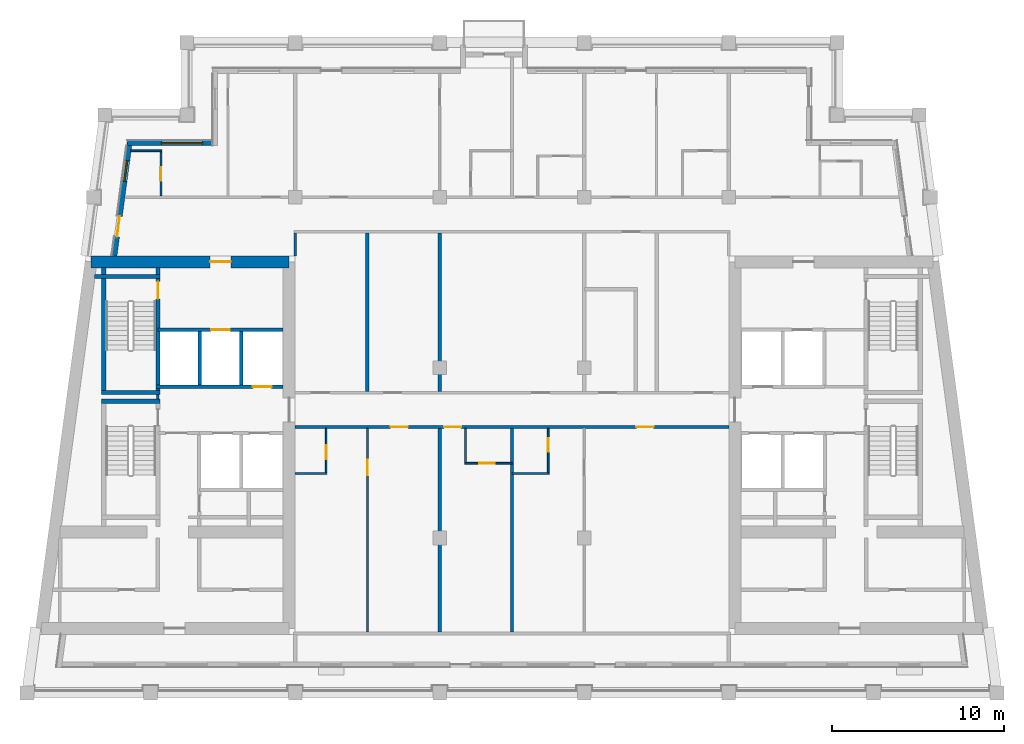
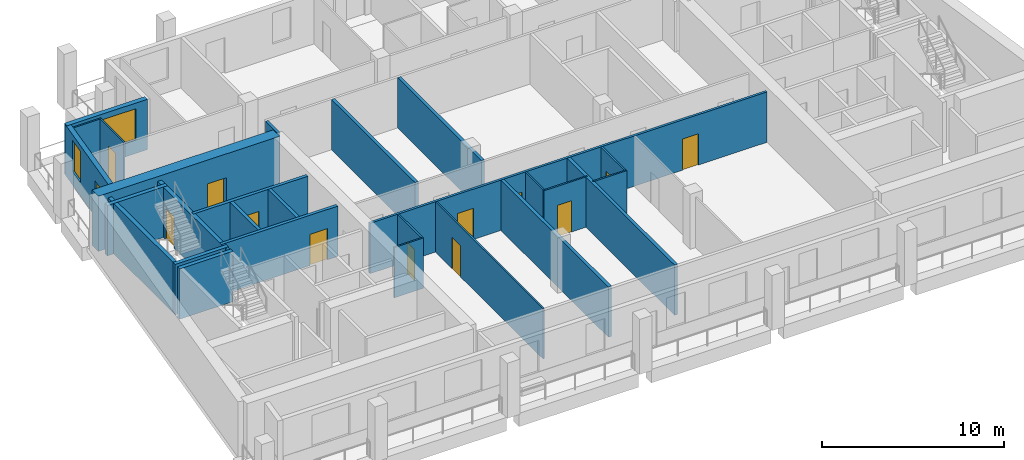
# One storey, part 3 of 14: 28 walls, 13 doors, 2 windows, 15 openings.
"""IFC4 building model written with IfcOpenShell, lengths in metres."""

from ifc_helpers import new_model, si_unit, direction, frame, frame_2d, origin, place, context, subcontext, project, spatial, rectangle, extrude, material, layer, layer_set, type_object, element, fill, save


model = new_model("IFC4")

# Units and contexts
model_context = context("Model", 3, precision=1e-05, world=origin(), true_north=direction((0.0, 1.0)))
body_context = subcontext(model_context, "Body", "Model", "MODEL_VIEW")
ifc_project = project(units=[si_unit("LENGTHUNIT", "METRE"), si_unit("AREAUNIT", "SQUARE_METRE"), si_unit("VOLUMEUNIT", "CUBIC_METRE"), si_unit("PLANEANGLEUNIT", "RADIAN"), si_unit("MASSUNIT", "GRAM", prefix="KILO")], contexts=[model_context])

# Site, building, storey
site_placement = place(None, origin())
site = spatial("IfcSite", under=ifc_project, at=site_placement, CompositionType="ELEMENT")
building_placement = place(site_placement, origin())
building = spatial("IfcBuilding", under=site, at=building_placement, Name="Candeia Pilgrim Tower and Theatre", CompositionType="ELEMENT")
storey_placement = place(building_placement, frame((0.0, 0.0, 266.39990234375)))
storey = spatial("IfcBuildingStorey", under=building, at=storey_placement, Name="L64", CompositionType="ELEMENT", Elevation=266.39990234375)

# Wall, opening, door
ifc_material_1 = material(Name="Concrete C40/50", Category="concrete")
ifc_layer_1 = layer(ifc_material_1, 0.699951171875)
ifc_layer_set_1 = layer_set([ifc_layer_1], Name="Core wall 700 C40/50")
wall_type_1 = type_object("IfcWallType", Name="Core wall 700 C40/50", PredefinedType="SHEAR", material=ifc_layer_set_1)
wall_1_placement = place(storey_placement, frame((88.936767578125, 132.050048828125, 0.0), z_axis=(0.0, 0.0, 1.0), x_axis=(1.0, 0.0, 0.0)))
wall_1 = element("IfcWall", 1, at=wall_1_placement, inside=storey, type_object=wall_type_1, Name="Core wall W1", PredefinedType="SHEAR", context=body_context, shape_type="SweptSolid", body=[
    extrude(rectangle(XDim=11.51318359375, YDim=0.699951171875, at=frame_2d((5.756591796875, 0.0))), origin(), (0.0, 0.0, 1.0), 3.7001953125),
])
opening_1_placement = place(wall_1_placement, frame((6.9267578125, 0.0, 0.0)))
opening_1 = element("IfcOpeningElement", 2, at=opening_1_placement, cuts=wall_1, Name="Opening L64-D043", PredefinedType="OPENING", context=body_context, shape_type="SweptSolid", body=[
    extrude(rectangle(XDim=1.199951171875, YDim=2.10009765625, at=frame_2d((0.60009765625, 1.050048828125))), frame((0.0, 0.35986328125, 0.0), z_axis=(0.0, -1.0, 0.0), x_axis=(1.0, 0.0, 0.0)), (0.0, 0.0, 1.0), 0.719970703125),
])
ifc_material_2 = material(Name="Steel fire door set", Category="steel")
door_type_1 = type_object("IfcDoorType", Name="D-1200-FD60", OperationType="NOTDEFINED", PredefinedType="DOOR", material=ifc_material_2)
door_1_placement = place(opening_1_placement, origin())
door_1 = element("IfcDoor", 3, at=door_1_placement, inside=storey, type_object=door_type_1, Name="Door L64-D043", OperationType="SINGLE_SWING_LEFT", OverallHeight=2.10009765625, OverallWidth=1.199951171875, PredefinedType="DOOR", context=body_context, shape_type="SweptSolid", body=[
    extrude(rectangle(XDim=1.199951171875, YDim=2.10009765625, at=frame_2d((0.60009765625, 1.050048828125))), frame((0.0, 0.02490234375, 0.0), z_axis=(0.0, -1.0, 0.0), x_axis=(1.0, 0.0, 0.0)), (0.0, 0.0, 1.0), 0.050048828125),
])
fill(opening_1, door_1)

# Wall, openings, door, window
ifc_material_3 = material(Name="Ceramic block masonry", Category="masonry")
ifc_layer_2 = layer(ifc_material_3, 0.300048828125)
ifc_layer_set_2 = layer_set([ifc_layer_2], Name="EW1 glazing-line wall 300")
wall_type_2 = type_object("IfcWallType", Name="EW1 glazing-line wall 300", PredefinedType="SOLIDWALL", material=ifc_layer_set_2)
wall_2_placement = place(storey_placement, frame((91.177490234375, 138.949951171875, 0.0), z_axis=(0.0, 0.0, 1.0), x_axis=(-0.133426664613, -0.991058689065, 0.0)))
wall_2 = element("IfcWall", 4, at=wall_2_placement, inside=storey, type_object=wall_type_2, Name="External wall L64-0.0", PredefinedType="SOLIDWALL", context=body_context, shape_type="SweptSolid", body=[
    extrude(rectangle(XDim=6.609130859375, YDim=0.300048828125, at=frame_2d((3.3046875, 0.0))), origin(), (0.0, 0.0, 1.0), 3.380126953125),
])
opening_2_placement = place(wall_2_placement, frame((1.039306640625, 0.0, 0.89990234375)))
opening_2 = element("IfcOpeningElement", 5, at=opening_2_placement, cuts=wall_2, Name="Opening W-B", PredefinedType="OPENING", context=body_context, shape_type="SweptSolid", body=[
    extrude(rectangle(XDim=1.199951171875, YDim=2.10009765625, at=frame_2d((0.60009765625, 1.050048828125))), frame((0.0, 0.16015625, 0.0), z_axis=(0.0, -1.0, 0.0), x_axis=(1.0, 0.0, 0.0)), (0.0, 0.0, 1.0), 0.320068359375),
])
opening_3_placement = place(wall_2_placement, frame((4.293701171875, 0.0, 0.0)))
opening_3 = element("IfcOpeningElement", 6, at=opening_3_placement, cuts=wall_2, Name="Opening L64-ED604", PredefinedType="OPENING", context=body_context, shape_type="SweptSolid", body=[
    extrude(rectangle(XDim=1.199951171875, YDim=2.39990234375, at=frame_2d((0.60009765625, 1.199951171875))), frame((0.0, 0.16015625, 0.0), z_axis=(0.0, -1.0, 0.0), x_axis=(1.0, 0.0, 0.0)), (0.0, 0.0, 1.0), 0.320068359375),
])
ifc_material_4 = material(Name="Aluminium framed glazed door", Category="aluminium")
door_type_2 = type_object("IfcDoorType", Name="Loggia door 1200x2400", OperationType="DOUBLE_DOOR_SINGLE_SWING", PredefinedType="DOOR", material=ifc_material_4)
door_2_placement = place(opening_3_placement, origin())
door_2 = element("IfcDoor", 7, at=door_2_placement, inside=storey, type_object=door_type_2, Name="Loggia door L64-ED604", OperationType="DOUBLE_DOOR_SINGLE_SWING", OverallHeight=2.39990234375, OverallWidth=1.199951171875, PredefinedType="DOOR", context=body_context, shape_type="SweptSolid", body=[
    extrude(rectangle(XDim=1.199951171875, YDim=2.39990234375, at=frame_2d((0.60009765625, 1.199951171875))), frame((0.0, 0.02490234375, 0.0), z_axis=(0.0, -1.0, 0.0), x_axis=(1.0, 0.0, 0.0)), (0.0, 0.0, 1.0), 0.050048828125),
])
fill(opening_3, door_2)
ifc_material_5 = material(Name="Aluminium framed double glazing", Category="aluminium")
window_type_1 = type_object("IfcWindowType", Name="W-B window 1200x2100", PartitioningType="SINGLE_PANEL", PredefinedType="WINDOW", material=ifc_material_5)
window_1_placement = place(opening_2_placement, origin())
window_1 = element("IfcWindow", 8, at=window_1_placement, inside=storey, type_object=window_type_1, Name="Window W-B L64", OverallHeight=2.10009765625, OverallWidth=1.199951171875, PartitioningType="SINGLE_PANEL", PredefinedType="WINDOW", context=body_context, shape_type="SweptSolid", body=[
    extrude(rectangle(XDim=1.199951171875, YDim=2.10009765625, at=frame_2d((0.60009765625, 1.050048828125))), frame((0.0, 0.030029296875, 0.0), z_axis=(0.0, -1.0, 0.0), x_axis=(1.0, 0.0, 0.0)), (0.0, 0.0, 1.0), 0.06005859375),
])
fill(opening_2, window_1)

# Wall, opening, window
wall_3_placement = place(storey_placement, frame((96.14990234375, 138.949951171875, 0.0), z_axis=(0.0, 0.0, 1.0), x_axis=(-1.0, 0.0, 0.0)))
wall_3 = element("IfcWall", 9, at=wall_3_placement, inside=storey, type_object=wall_type_2, Name="External wall L64-7.0", PredefinedType="SOLIDWALL", context=body_context, shape_type="SweptSolid", body=[
    extrude(rectangle(XDim=5.103759765625, YDim=0.300048828125, at=frame_2d((2.5517578125, 0.0))), origin(), (0.0, 0.0, 1.0), 3.380126953125),
])
opening_4_placement = place(wall_3_placement, frame((0.72509765625, 0.0, 0.89990234375)))
opening_4 = element("IfcOpeningElement", 10, at=opening_4_placement, cuts=wall_3, Name="Opening W-A", PredefinedType="OPENING", context=body_context, shape_type="SweptSolid", body=[
    extrude(rectangle(XDim=2.39990234375, YDim=2.10009765625, at=frame_2d((1.199951171875, 1.050048828125))), frame((0.0, 0.16015625, 0.0), z_axis=(0.0, -1.0, 0.0), x_axis=(1.0, 0.0, 0.0)), (0.0, 0.0, 1.0), 0.320068359375),
])
window_type_2 = type_object("IfcWindowType", Name="W-A window 2400x2100", PartitioningType="DOUBLE_PANEL_VERTICAL", PredefinedType="WINDOW", material=ifc_material_5)
window_2_placement = place(opening_4_placement, origin())
window_2 = element("IfcWindow", 11, at=window_2_placement, inside=storey, type_object=window_type_2, Name="Window W-A L64", OverallHeight=2.10009765625, OverallWidth=2.39990234375, PartitioningType="SINGLE_PANEL", PredefinedType="WINDOW", context=body_context, shape_type="SweptSolid", body=[
    extrude(rectangle(XDim=2.39990234375, YDim=2.10009765625, at=frame_2d((1.199951171875, 1.050048828125))), frame((0.0, 0.030029296875, 0.0), z_axis=(0.0, -1.0, 0.0), x_axis=(1.0, 0.0, 0.0)), (0.0, 0.0, 1.0), 0.06005859375),
])
fill(opening_4, window_2)

# Walls
ifc_material_6 = material(Name="Gypsum board partition on steel studs", Category="steel")
ifc_layer_3 = layer(ifc_material_6, 0.10009765625)
ifc_layer_set_3 = layer_set([ifc_layer_3], Name="PW-100 room partition")
wall_type_3 = type_object("IfcWallType", Name="PW-100 room partition", PredefinedType="PARTITIONING", material=ifc_layer_set_3)
wall_4_placement = place(storey_placement, frame((100.800048828125, 119.75, 0.0), z_axis=(0.0, 0.0, 1.0), x_axis=(1.0, 0.0, 0.0)))
element("IfcWall", 12, at=wall_4_placement, inside=storey, type_object=wall_type_3, Name="Room partition L64-014", PredefinedType="PARTITIONING", context=body_context, shape_type="SweptSolid", body=[
    extrude(rectangle(XDim=1.849853515625, YDim=0.10009765625, at=frame_2d((0.9248046875, 0.0))), origin(), (0.0, 0.0, 1.0), 3.380126953125),
])
wall_5_placement = place(storey_placement, frame((113.39990234375, 119.75, 0.0), z_axis=(0.0, 0.0, 1.0), x_axis=(1.0, 0.0, 0.0)))
element("IfcWall", 13, at=wall_5_placement, inside=storey, type_object=wall_type_3, Name="Room partition L64-015", PredefinedType="PARTITIONING", context=body_context, shape_type="SweptSolid", body=[
    extrude(rectangle(XDim=2.150146484375, YDim=0.10009765625, at=frame_2d((1.0751953125, 0.0))), origin(), (0.0, 0.0, 1.0), 3.380126953125),
])

# Wall, opening, door
wall_6_placement = place(storey_placement, frame((110.64990234375, 120.35009765625, 0.0), z_axis=(0.0, 0.0, 1.0), x_axis=(1.0, 0.0, 0.0)))
wall_6 = element("IfcWall", 14, at=wall_6_placement, inside=storey, type_object=wall_type_3, Name="Room partition L64-016", PredefinedType="PARTITIONING", context=body_context, shape_type="SweptSolid", body=[
    extrude(rectangle(XDim=2.75, YDim=0.10009765625, at=frame_2d((1.375, 0.0))), origin(), (0.0, 0.0, 1.0), 3.380126953125),
])
opening_5_placement = place(wall_6_placement, frame((0.840087890625, 0.0, 0.0)))
opening_5 = element("IfcOpeningElement", 15, at=opening_5_placement, cuts=wall_6, Name="Opening L64-D017", PredefinedType="OPENING", context=body_context, shape_type="SweptSolid", body=[
    extrude(rectangle(XDim=0.89990234375, YDim=2.10009765625, at=frame_2d((0.449951171875, 1.050048828125))), frame((0.0, 0.06005859375, 0.0), z_axis=(0.0, -1.0, 0.0), x_axis=(1.0, 0.0, 0.0)), (0.0, 0.0, 1.0), 0.1201171875),
])
ifc_material_7 = material(Name="Timber door leaf", Category="wood")
door_type_3 = type_object("IfcDoorType", Name="D-900", OperationType="NOTDEFINED", PredefinedType="DOOR", material=ifc_material_7)
door_3_placement = place(opening_5_placement, origin())
door_3 = element("IfcDoor", 16, at=door_3_placement, inside=storey, type_object=door_type_3, Name="Door L64-D017", OperationType="SINGLE_SWING_LEFT", OverallHeight=2.10009765625, OverallWidth=0.89990234375, PredefinedType="DOOR", context=body_context, shape_type="SweptSolid", body=[
    extrude(rectangle(XDim=0.89990234375, YDim=2.10009765625, at=frame_2d((0.449951171875, 1.050048828125))), frame((0.0, 0.02490234375, 0.0), z_axis=(0.0, -1.0, 0.0), x_axis=(1.0, 0.0, 0.0)), (0.0, 0.0, 1.0), 0.050048828125),
])
fill(opening_5, door_3)

# Wall
wall_7_placement = place(storey_placement, frame((91.258056640625, 138.5, 0.0), z_axis=(0.0, 0.0, 1.0), x_axis=(1.0, 0.0, 0.0)))
element("IfcWall", 17, at=wall_7_placement, inside=storey, type_object=wall_type_3, Name="Room partition L64-040", PredefinedType="PARTITIONING", context=body_context, shape_type="SweptSolid", body=[
    extrude(rectangle(XDim=1.7919921875, YDim=0.10009765625, at=frame_2d((0.89599609375, 0.0))), origin(), (0.0, 0.0, 1.0), 3.380126953125),
])

# Wall, opening, door
wall_8_placement = place(storey_placement, frame((93.0, 135.875, 0.0), z_axis=(0.0, 0.0, 1.0), x_axis=(0.0, 1.0, 0.0)))
wall_8 = element("IfcWall", 18, at=wall_8_placement, inside=storey, type_object=wall_type_3, Name="Room partition L64-051", PredefinedType="PARTITIONING", context=body_context, shape_type="SweptSolid", body=[
    extrude(rectangle(XDim=2.574951171875, YDim=0.10009765625, at=frame_2d((1.28759765625, 0.0))), origin(), (0.0, 0.0, 1.0), 3.380126953125),
])
opening_6_placement = place(wall_8_placement, frame((0.875, 0.0, 0.0)))
opening_6 = element("IfcOpeningElement", 19, at=opening_6_placement, cuts=wall_8, Name="Opening L64-D023", PredefinedType="OPENING", context=body_context, shape_type="SweptSolid", body=[
    extrude(rectangle(XDim=0.800048828125, YDim=2.10009765625, at=frame_2d((0.39990234375, 1.050048828125))), frame((0.0, 0.06005859375, 0.0), z_axis=(0.0, -1.0, 0.0), x_axis=(1.0, 0.0, 0.0)), (0.0, 0.0, 1.0), 0.1201171875),
])
door_type_4 = type_object("IfcDoorType", Name="D-800", OperationType="NOTDEFINED", PredefinedType="DOOR", material=ifc_material_7)
door_4_placement = place(opening_6_placement, origin())
door_4 = element("IfcDoor", 20, at=door_4_placement, inside=storey, type_object=door_type_4, Name="Door L64-D023", OperationType="SINGLE_SWING_LEFT", OverallHeight=2.10009765625, OverallWidth=0.800048828125, PredefinedType="DOOR", context=body_context, shape_type="SweptSolid", body=[
    extrude(rectangle(XDim=0.800048828125, YDim=2.10009765625, at=frame_2d((0.39990234375, 1.050048828125))), frame((0.0, 0.02490234375, 0.0), z_axis=(0.0, -1.0, 0.0), x_axis=(1.0, 0.0, 0.0)), (0.0, 0.0, 1.0), 0.050048828125),
])
fill(opening_6, door_4)

wall_9_placement = place(storey_placement, frame((102.60009765625, 119.800048828125, 0.0), z_axis=(0.0, 0.0, 1.0), x_axis=(0.0, 1.0, 0.0)))
wall_9 = element("IfcWall", 21, at=wall_9_placement, inside=storey, type_object=wall_type_3, Name="Room partition L64-062", PredefinedType="PARTITIONING", context=body_context, shape_type="SweptSolid", body=[
    extrude(rectangle(XDim=2.574951171875, YDim=0.10009765625, at=frame_2d((1.28759765625, 0.0))), origin(), (0.0, 0.0, 1.0), 3.380126953125),
])
opening_7_placement = place(wall_9_placement, frame((0.780029296875, 0.0, 0.0)))
opening_7 = element("IfcOpeningElement", 22, at=opening_7_placement, cuts=wall_9, Name="Opening L64-D015", PredefinedType="OPENING", context=body_context, shape_type="SweptSolid", body=[
    extrude(rectangle(XDim=0.800048828125, YDim=2.10009765625, at=frame_2d((0.39990234375, 1.050048828125))), frame((0.0, 0.06005859375, 0.0), z_axis=(0.0, -1.0, 0.0), x_axis=(1.0, 0.0, 0.0)), (0.0, 0.0, 1.0), 0.1201171875),
])
door_5_placement = place(opening_7_placement, origin())
door_5 = element("IfcDoor", 23, at=door_5_placement, inside=storey, type_object=door_type_4, Name="Door L64-D015", OperationType="SINGLE_SWING_LEFT", OverallHeight=2.10009765625, OverallWidth=0.800048828125, PredefinedType="DOOR", context=body_context, shape_type="SweptSolid", body=[
    extrude(rectangle(XDim=0.800048828125, YDim=2.10009765625, at=frame_2d((0.39990234375, 1.050048828125))), frame((0.0, 0.02490234375, 0.0), z_axis=(0.0, -1.0, 0.0), x_axis=(1.0, 0.0, 0.0)), (0.0, 0.0, 1.0), 0.050048828125),
])
fill(opening_7, door_5)

wall_10_placement = place(storey_placement, frame((105.0, 110.550048828125, 0.0), z_axis=(0.0, 0.0, 1.0), x_axis=(0.0, 1.0, 0.0)))
wall_10 = element("IfcWall", 24, at=wall_10_placement, inside=storey, type_object=wall_type_3, Name="Room partition L64-063", PredefinedType="PARTITIONING", context=body_context, shape_type="SweptSolid", body=[
    extrude(rectangle(XDim=11.824951171875, YDim=0.10009765625, at=frame_2d((5.91259765625, 0.0))), origin(), (0.0, 0.0, 1.0), 3.380126953125),
])
opening_8_placement = place(wall_10_placement, frame((9.090087890625, 0.0, 0.0)))
opening_8 = element("IfcOpeningElement", 25, at=opening_8_placement, cuts=wall_10, Name="Opening L64-D014", PredefinedType="OPENING", context=body_context, shape_type="SweptSolid", body=[
    extrude(rectangle(XDim=0.89990234375, YDim=2.10009765625, at=frame_2d((0.449951171875, 1.050048828125))), frame((0.0, 0.06005859375, 0.0), z_axis=(0.0, -1.0, 0.0), x_axis=(1.0, 0.0, 0.0)), (0.0, 0.0, 1.0), 0.1201171875),
])
door_6_placement = place(opening_8_placement, origin())
door_6 = element("IfcDoor", 26, at=door_6_placement, inside=storey, type_object=door_type_3, Name="Door L64-D014", OperationType="SINGLE_SWING_RIGHT", OverallHeight=2.10009765625, OverallWidth=0.89990234375, PredefinedType="DOOR", context=body_context, shape_type="SweptSolid", body=[
    extrude(rectangle(XDim=0.89990234375, YDim=2.10009765625, at=frame_2d((0.449951171875, 1.050048828125))), frame((0.0, 0.02490234375, 0.0), z_axis=(0.0, -1.0, 0.0), x_axis=(1.0, 0.0, 0.0)), (0.0, 0.0, 1.0), 0.050048828125),
])
fill(opening_8, door_6)

# Wall
wall_11_placement = place(storey_placement, frame((110.699951171875, 120.39990234375, 0.0), z_axis=(0.0, 0.0, 1.0), x_axis=(0.0, 1.0, 0.0)))
element("IfcWall", 27, at=wall_11_placement, inside=storey, type_object=wall_type_3, Name="Room partition L64-068", PredefinedType="PARTITIONING", context=body_context, shape_type="SweptSolid", body=[
    extrude(rectangle(XDim=1.97509765625, YDim=0.10009765625, at=frame_2d((0.987548828125, 0.0))), origin(), (0.0, 0.0, 1.0), 3.380126953125),
])

# Wall, opening, door
wall_12_placement = place(storey_placement, frame((115.5, 119.800048828125, 0.0), z_axis=(0.0, 0.0, 1.0), x_axis=(0.0, 1.0, 0.0)))
wall_12 = element("IfcWall", 28, at=wall_12_placement, inside=storey, type_object=wall_type_3, Name="Room partition L64-073", PredefinedType="PARTITIONING", context=body_context, shape_type="SweptSolid", body=[
    extrude(rectangle(XDim=2.574951171875, YDim=0.10009765625, at=frame_2d((1.28759765625, 0.0))), origin(), (0.0, 0.0, 1.0), 3.380126953125),
])
opening_9_placement = place(wall_12_placement, frame((1.199951171875, 0.0, 0.0)))
opening_9 = element("IfcOpeningElement", 29, at=opening_9_placement, cuts=wall_12, Name="Opening L64-D020", PredefinedType="OPENING", context=body_context, shape_type="SweptSolid", body=[
    extrude(rectangle(XDim=0.800048828125, YDim=2.10009765625, at=frame_2d((0.39990234375, 1.050048828125))), frame((0.0, 0.06005859375, 0.0), z_axis=(0.0, -1.0, 0.0), x_axis=(1.0, 0.0, 0.0)), (0.0, 0.0, 1.0), 0.1201171875),
])
door_7_placement = place(opening_9_placement, origin())
door_7 = element("IfcDoor", 30, at=door_7_placement, inside=storey, type_object=door_type_4, Name="Door L64-D020", OperationType="SINGLE_SWING_RIGHT", OverallHeight=2.10009765625, OverallWidth=0.800048828125, PredefinedType="DOOR", context=body_context, shape_type="SweptSolid", body=[
    extrude(rectangle(XDim=0.800048828125, YDim=2.10009765625, at=frame_2d((0.39990234375, 1.050048828125))), frame((0.0, 0.02490234375, 0.0), z_axis=(0.0, -1.0, 0.0), x_axis=(1.0, 0.0, 0.0)), (0.0, 0.0, 1.0), 0.050048828125),
])
fill(opening_9, door_7)

# Wall
ifc_layer_4 = layer(ifc_material_6, 0.14990234375)
ifc_layer_set_4 = layer_set([ifc_layer_4], Name="PW-150 lobby wall")
wall_type_4 = type_object("IfcWallType", Name="PW-150 lobby wall", PredefinedType="PARTITIONING", material=ifc_layer_set_4)
wall_13_placement = place(storey_placement, frame((92.826904296875, 124.074951171875, 0.0), z_axis=(0.0, 0.0, 1.0), x_axis=(0.0, 1.0, 0.0)))
element("IfcWall", 31, at=wall_13_placement, inside=storey, type_object=wall_type_4, Name="Lobby wall L64-048", PredefinedType="PARTITIONING", context=body_context, shape_type="SweptSolid", body=[
    extrude(rectangle(XDim=0.25, YDim=0.14990234375, at=frame_2d((0.125, 0.0))), origin(), (0.0, 0.0, 1.0), 3.380126953125),
])

# Wall, openings, doors
ifc_layer_5 = layer(ifc_material_6, 0.14990234375)
ifc_layer_set_5 = layer_set([ifc_layer_5], Name="PW-150 unit wall")
wall_type_5 = type_object("IfcWallType", Name="PW-150 unit wall", PredefinedType="PARTITIONING", material=ifc_layer_set_5)
wall_14_placement = place(storey_placement, frame((100.800048828125, 122.449951171875, 0.0), z_axis=(0.0, 0.0, 1.0), x_axis=(1.0, 0.0, 0.0)))
wall_14 = element("IfcWall", 32, at=wall_14_placement, inside=storey, type_object=wall_type_5, Name="Unit wall L64-021", PredefinedType="PARTITIONING", context=body_context, shape_type="SweptSolid", body=[
    extrude(rectangle(XDim=25.199951171875, YDim=0.14990234375, at=frame_2d((12.60009765625, 0.0))), origin(), (0.0, 0.0, 1.0), 3.380126953125),
])
opening_10_placement = place(wall_14_placement, frame((5.550048828125, 0.0, 0.0)))
opening_10 = element("IfcOpeningElement", 33, at=opening_10_placement, cuts=wall_14, Name="Opening L64-D013", PredefinedType="OPENING", context=body_context, shape_type="SweptSolid", body=[
    extrude(rectangle(XDim=1.0, YDim=2.10009765625, at=frame_2d((0.5, 1.050048828125))), frame((0.0, 0.0849609375, 0.0), z_axis=(0.0, -1.0, 0.0), x_axis=(1.0, 0.0, 0.0)), (0.0, 0.0, 1.0), 0.169921875),
])
opening_11_placement = place(wall_14_placement, frame((8.64990234375, 0.0, 0.0)))
opening_11 = element("IfcOpeningElement", 34, at=opening_11_placement, cuts=wall_14, Name="Opening L64-D016", PredefinedType="OPENING", context=body_context, shape_type="SweptSolid", body=[
    extrude(rectangle(XDim=1.0, YDim=2.10009765625, at=frame_2d((0.5, 1.050048828125))), frame((0.0, 0.0849609375, 0.0), z_axis=(0.0, -1.0, 0.0), x_axis=(1.0, 0.0, 0.0)), (0.0, 0.0, 1.0), 0.169921875),
])
opening_12_placement = place(wall_14_placement, frame((19.830078125, 0.0, 0.0)))
opening_12 = element("IfcOpeningElement", 35, at=opening_12_placement, cuts=wall_14, Name="Opening L64-D018", PredefinedType="OPENING", context=body_context, shape_type="SweptSolid", body=[
    extrude(rectangle(XDim=1.0, YDim=2.10009765625, at=frame_2d((0.5, 1.050048828125))), frame((0.0, 0.0849609375, 0.0), z_axis=(0.0, -1.0, 0.0), x_axis=(1.0, 0.0, 0.0)), (0.0, 0.0, 1.0), 0.169921875),
])
door_type_5 = type_object("IfcDoorType", Name="D-1000-FD30S", OperationType="NOTDEFINED", PredefinedType="DOOR", material=ifc_material_2)
door_8_placement = place(opening_10_placement, origin())
door_8 = element("IfcDoor", 36, at=door_8_placement, inside=storey, type_object=door_type_5, Name="Door L64-D013", OperationType="SINGLE_SWING_LEFT", OverallHeight=2.10009765625, OverallWidth=1.0, PredefinedType="DOOR", context=body_context, shape_type="SweptSolid", body=[
    extrude(rectangle(XDim=1.0, YDim=2.10009765625, at=frame_2d((0.5, 1.050048828125))), frame((0.0, 0.02490234375, 0.0), z_axis=(0.0, -1.0, 0.0), x_axis=(1.0, 0.0, 0.0)), (0.0, 0.0, 1.0), 0.050048828125),
])
fill(opening_10, door_8)
door_9_placement = place(opening_11_placement, origin())
door_9 = element("IfcDoor", 37, at=door_9_placement, inside=storey, type_object=door_type_5, Name="Door L64-D016", OperationType="SINGLE_SWING_RIGHT", OverallHeight=2.10009765625, OverallWidth=1.0, PredefinedType="DOOR", context=body_context, shape_type="SweptSolid", body=[
    extrude(rectangle(XDim=1.0, YDim=2.10009765625, at=frame_2d((0.5, 1.050048828125))), frame((0.0, 0.02490234375, 0.0), z_axis=(0.0, -1.0, 0.0), x_axis=(1.0, 0.0, 0.0)), (0.0, 0.0, 1.0), 0.050048828125),
])
fill(opening_11, door_9)
door_10_placement = place(opening_12_placement, origin())
door_10 = element("IfcDoor", 38, at=door_10_placement, inside=storey, type_object=door_type_5, Name="Door L64-D018", OperationType="SINGLE_SWING_RIGHT", OverallHeight=2.10009765625, OverallWidth=1.0, PredefinedType="DOOR", context=body_context, shape_type="SweptSolid", body=[
    extrude(rectangle(XDim=1.0, YDim=2.10009765625, at=frame_2d((0.5, 1.050048828125))), frame((0.0, 0.02490234375, 0.0), z_axis=(0.0, -1.0, 0.0), x_axis=(1.0, 0.0, 0.0)), (0.0, 0.0, 1.0), 0.050048828125),
])
fill(opening_12, door_10)

# Walls
wall_15_placement = place(storey_placement, frame((100.800048828125, 132.39990234375, 0.0), z_axis=(0.0, 0.0, 1.0), x_axis=(0.0, 1.0, 0.0)))
element("IfcWall", 39, at=wall_15_placement, inside=storey, type_object=wall_type_5, Name="Unit wall L64-061", PredefinedType="PARTITIONING", context=body_context, shape_type="SweptSolid", body=[
    extrude(rectangle(XDim=1.3251953125, YDim=0.14990234375, at=frame_2d((0.66259765625, 0.0))), origin(), (0.0, 0.0, 1.0), 3.380126953125),
])
ifc_layer_6 = layer(ifc_material_6, 0.199951171875)
ifc_layer_set_6 = layer_set([ifc_layer_6], Name="PW-200 party wall")
wall_type_6 = type_object("IfcWallType", Name="PW-200 party wall", PredefinedType="PARTITIONING", material=ifc_layer_set_6)
wall_16_placement = place(storey_placement, frame((105.0, 124.52490234375, 0.0), z_axis=(0.0, 0.0, 1.0), x_axis=(0.0, 1.0, 0.0)))
element("IfcWall", 40, at=wall_16_placement, inside=storey, type_object=wall_type_6, Name="Party wall L64-064", PredefinedType="PARTITIONING", context=body_context, shape_type="SweptSolid", body=[
    extrude(rectangle(XDim=9.2001953125, YDim=0.199951171875, at=frame_2d((4.60009765625, 0.0))), origin(), (0.0, 0.0, 1.0), 3.380126953125),
])
wall_17_placement = place(storey_placement, frame((109.199951171875, 110.550048828125, 0.0), z_axis=(0.0, 0.0, 1.0), x_axis=(0.0, 1.0, 0.0)))
element("IfcWall", 41, at=wall_17_placement, inside=storey, type_object=wall_type_6, Name="Party wall L64-066", PredefinedType="PARTITIONING", context=body_context, shape_type="SweptSolid", body=[
    extrude(rectangle(XDim=11.824951171875, YDim=0.199951171875, at=frame_2d((5.91259765625, 0.0))), origin(), (0.0, 0.0, 1.0), 3.380126953125),
])
wall_18_placement = place(storey_placement, frame((109.199951171875, 124.52490234375, 0.0), z_axis=(0.0, 0.0, 1.0), x_axis=(0.0, 1.0, 0.0)))
element("IfcWall", 42, at=wall_18_placement, inside=storey, type_object=wall_type_6, Name="Party wall L64-067", PredefinedType="PARTITIONING", context=body_context, shape_type="SweptSolid", body=[
    extrude(rectangle(XDim=9.2001953125, YDim=0.199951171875, at=frame_2d((4.60009765625, 0.0))), origin(), (0.0, 0.0, 1.0), 3.380126953125),
])
wall_19_placement = place(storey_placement, frame((113.39990234375, 110.550048828125, 0.0), z_axis=(0.0, 0.0, 1.0), x_axis=(0.0, 1.0, 0.0)))
element("IfcWall", 43, at=wall_19_placement, inside=storey, type_object=wall_type_6, Name="Party wall L64-070", PredefinedType="PARTITIONING", context=body_context, shape_type="SweptSolid", body=[
    extrude(rectangle(XDim=11.824951171875, YDim=0.199951171875, at=frame_2d((5.91259765625, 0.0))), origin(), (0.0, 0.0, 1.0), 3.380126953125),
])

# Wall, opening, door
ifc_layer_7 = layer(ifc_material_1, 0.199951171875)
ifc_layer_set_7 = layer_set([ifc_layer_7], Name="SW-200 shaft wall")
wall_type_7 = type_object("IfcWallType", Name="SW-200 shaft wall", PredefinedType="PARTITIONING", material=ifc_layer_set_7)
wall_20_placement = place(storey_placement, frame((92.701904296875, 124.800048828125, 0.0), z_axis=(0.0, 0.0, 1.0), x_axis=(1.0, 0.0, 0.0)))
wall_20 = element("IfcWall", 44, at=wall_20_placement, inside=storey, type_object=wall_type_7, Name="Shaft wall L64-027", PredefinedType="PARTITIONING", context=body_context, shape_type="SweptSolid", body=[
    extrude(rectangle(XDim=7.398193359375, YDim=0.199951171875, at=frame_2d((3.69921875, 0.0))), origin(), (0.0, 0.0, 1.0), 3.380126953125),
])
opening_13_placement = place(wall_20_placement, frame((5.635986328125, 0.0, 0.0)))
opening_13 = element("IfcOpeningElement", 45, at=opening_13_placement, cuts=wall_20, Name="Opening L64-LD04", PredefinedType="OPENING", context=body_context, shape_type="SweptSolid", body=[
    extrude(rectangle(XDim=1.10009765625, YDim=2.10009765625, at=frame_2d((0.550048828125, 1.050048828125))), frame((0.0, 0.10986328125, 0.0), z_axis=(0.0, -1.0, 0.0), x_axis=(1.0, 0.0, 0.0)), (0.0, 0.0, 1.0), 0.219970703125),
])
ifc_material_8 = material(Name="Glazed aluminium landing door", Category="aluminium")
door_type_6 = type_object("IfcDoorType", Name="LD-1100-EI120", OperationType="SLIDING_TO_LEFT", PredefinedType="DOOR", material=ifc_material_8)
door_11_placement = place(opening_13_placement, origin())
door_11 = element("IfcDoor", 46, at=door_11_placement, inside=storey, type_object=door_type_6, Name="Landing door 04 L64", OperationType="SLIDING_TO_LEFT", OverallHeight=2.10009765625, OverallWidth=1.10009765625, PredefinedType="DOOR", context=body_context, shape_type="SweptSolid", body=[
    extrude(rectangle(XDim=1.10009765625, YDim=2.10009765625, at=frame_2d((0.550048828125, 1.050048828125))), frame((0.0, 0.02490234375, 0.0), z_axis=(0.0, -1.0, 0.0), x_axis=(1.0, 0.0, 0.0)), (0.0, 0.0, 1.0), 0.050048828125),
])
fill(opening_13, door_11)

wall_21_placement = place(storey_placement, frame((92.826904296875, 128.10009765625, 0.0), z_axis=(0.0, 0.0, 1.0), x_axis=(1.0, 0.0, 0.0)))
wall_21 = element("IfcWall", 47, at=wall_21_placement, inside=storey, type_object=wall_type_7, Name="Shaft wall L64-030", PredefinedType="PARTITIONING", context=body_context, shape_type="SweptSolid", body=[
    extrude(rectangle(XDim=7.273193359375, YDim=0.199951171875, at=frame_2d((3.63671875, 0.0))), origin(), (0.0, 0.0, 1.0), 3.380126953125),
])
opening_14_placement = place(wall_21_placement, frame((3.0859375, 0.0, 0.0)))
opening_14 = element("IfcOpeningElement", 48, at=opening_14_placement, cuts=wall_21, Name="Opening L64-LD03", PredefinedType="OPENING", context=body_context, shape_type="SweptSolid", body=[
    extrude(rectangle(XDim=1.10009765625, YDim=2.10009765625, at=frame_2d((0.550048828125, 1.050048828125))), frame((0.0, 0.10986328125, 0.0), z_axis=(0.0, -1.0, 0.0), x_axis=(1.0, 0.0, 0.0)), (0.0, 0.0, 1.0), 0.219970703125),
])
door_12_placement = place(opening_14_placement, origin())
door_12 = element("IfcDoor", 49, at=door_12_placement, inside=storey, type_object=door_type_6, Name="Landing door 03 L64", OperationType="SLIDING_TO_LEFT", OverallHeight=2.10009765625, OverallWidth=1.10009765625, PredefinedType="DOOR", context=body_context, shape_type="SweptSolid", body=[
    extrude(rectangle(XDim=1.10009765625, YDim=2.10009765625, at=frame_2d((0.550048828125, 1.050048828125))), frame((0.0, 0.02490234375, 0.0), z_axis=(0.0, -1.0, 0.0), x_axis=(1.0, 0.0, 0.0)), (0.0, 0.0, 1.0), 0.050048828125),
])
fill(opening_14, door_12)

# Walls
for number, where, z_axis, x_axis, name in (
    (50, (95.251220703125, 124.89990234375, 0.0), (0.0, 0.0, 1.0), (0.0, 1.0, 0.0), "Shaft wall L64-054"),
    (51, (97.67578125, 124.89990234375, 0.0), (0.0, 0.0, 1.0), (0.0, 1.0, 0.0), "Shaft wall L64-057"),
):
    element("IfcWall", number, at=place(storey_placement, frame(where, z_axis=z_axis, x_axis=x_axis)), inside=storey, type_object=wall_type_7, Name=name, PredefinedType="PARTITIONING", context=body_context, shape_type="SweptSolid", body=[
        extrude(rectangle(XDim=3.10009765625, YDim=0.199951171875, at=frame_2d((1.550048828125, 0.0))), origin(), (0.0, 0.0, 1.0), 3.380126953125),
    ])
ifc_layer_8 = layer(ifc_material_1, 0.25)
ifc_layer_set_8 = layer_set([ifc_layer_8], Name="SW-250 stair wall")
wall_type_8 = type_object("IfcWallType", Name="SW-250 stair wall", PredefinedType="PARTITIONING", material=ifc_layer_set_8)
for number, where, z_axis, x_axis, name in (
    (52, (89.552001953125, 123.949951171875, 0.0), (0.0, 0.0, 1.0), (1.0, 0.0, 0.0), "Stair wall L64-022"),
    (53, (89.552001953125, 124.449951171875, 0.0), (0.0, 0.0, 1.0), (1.0, 0.0, 0.0), "Stair wall L64-024"),
):
    element("IfcWall", number, at=place(storey_placement, frame(where, z_axis=z_axis, x_axis=x_axis)), inside=storey, type_object=wall_type_8, Name=name, PredefinedType="PARTITIONING", context=body_context, shape_type="SweptSolid", body=[
        extrude(rectangle(XDim=3.39990234375, YDim=0.25, at=frame_2d((1.699951171875, 0.0))), origin(), (0.0, 0.0, 1.0), 3.380126953125),
    ])
wall_22_placement = place(storey_placement, frame((89.1455078125, 131.199951171875, 0.0), z_axis=(0.0, 0.0, 1.0), x_axis=(1.0, 0.0, 0.0)))
element("IfcWall", 54, at=wall_22_placement, inside=storey, type_object=wall_type_8, Name="Stair wall L64-034", PredefinedType="PARTITIONING", context=body_context, shape_type="SweptSolid", body=[
    extrude(rectangle(XDim=3.806396484375, YDim=0.25, at=frame_2d((1.9033203125, 0.0))), origin(), (0.0, 0.0, 1.0), 3.380126953125),
])
wall_23_placement = place(storey_placement, frame((89.677001953125, 124.574951171875, 0.0), z_axis=(0.0, 0.0, 1.0), x_axis=(0.0, 1.0, 0.0)))
element("IfcWall", 55, at=wall_23_placement, inside=storey, type_object=wall_type_8, Name="Stair wall L64-046", PredefinedType="PARTITIONING", context=body_context, shape_type="SweptSolid", body=[
    extrude(rectangle(XDim=7.155029296875, YDim=0.25, at=frame_2d((3.57763671875, 0.0))), origin(), (0.0, 0.0, 1.0), 3.380126953125),
])

# Wall, opening, door
wall_24_placement = place(storey_placement, frame((92.826904296875, 124.574951171875, 0.0), z_axis=(0.0, 0.0, 1.0), x_axis=(0.0, 1.0, 0.0)))
wall_24 = element("IfcWall", 56, at=wall_24_placement, inside=storey, type_object=wall_type_8, Name="Stair wall L64-050", PredefinedType="PARTITIONING", context=body_context, shape_type="SweptSolid", body=[
    extrude(rectangle(XDim=7.155029296875, YDim=0.25, at=frame_2d((3.57763671875, 0.0))), origin(), (0.0, 0.0, 1.0), 3.380126953125),
])
opening_15_placement = place(wall_24_placement, frame((5.324951171875, 0.0, 0.0)))
opening_15 = element("IfcOpeningElement", 57, at=opening_15_placement, cuts=wall_24, Name="Opening L64-D003", PredefinedType="OPENING", context=body_context, shape_type="SweptSolid", body=[
    extrude(rectangle(XDim=1.0, YDim=2.10009765625, at=frame_2d((0.5, 1.050048828125))), frame((0.0, 0.135009765625, 0.0), z_axis=(0.0, -1.0, 0.0), x_axis=(1.0, 0.0, 0.0)), (0.0, 0.0, 1.0), 0.27001953125),
])
door_type_7 = type_object("IfcDoorType", Name="D-1000-FD60", OperationType="NOTDEFINED", PredefinedType="DOOR", material=ifc_material_2)
door_13_placement = place(opening_15_placement, origin())
door_13 = element("IfcDoor", 58, at=door_13_placement, inside=storey, type_object=door_type_7, Name="Door L64-D003", OperationType="SINGLE_SWING_LEFT", OverallHeight=2.10009765625, OverallWidth=1.0, PredefinedType="DOOR", context=body_context, shape_type="SweptSolid", body=[
    extrude(rectangle(XDim=1.0, YDim=2.10009765625, at=frame_2d((0.5, 1.050048828125))), frame((0.0, 0.02490234375, 0.0), z_axis=(0.0, -1.0, 0.0), x_axis=(1.0, 0.0, 0.0)), (0.0, 0.0, 1.0), 0.050048828125),
])
fill(opening_15, door_13)

save(model, "model.ifc")
